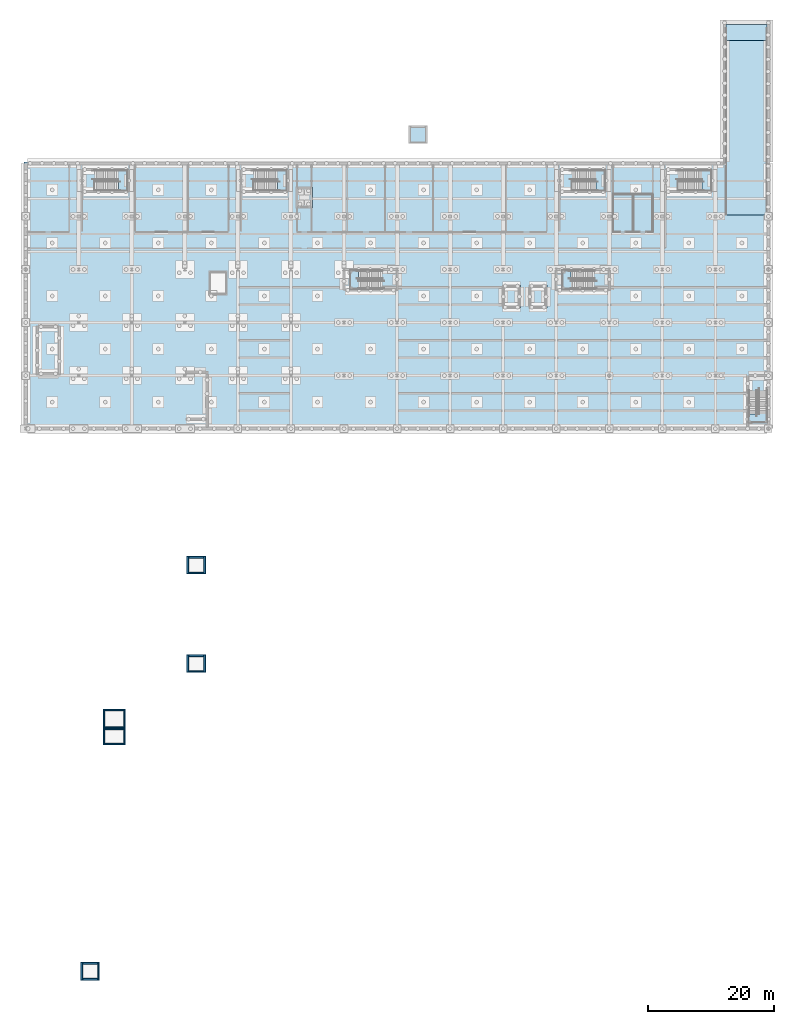
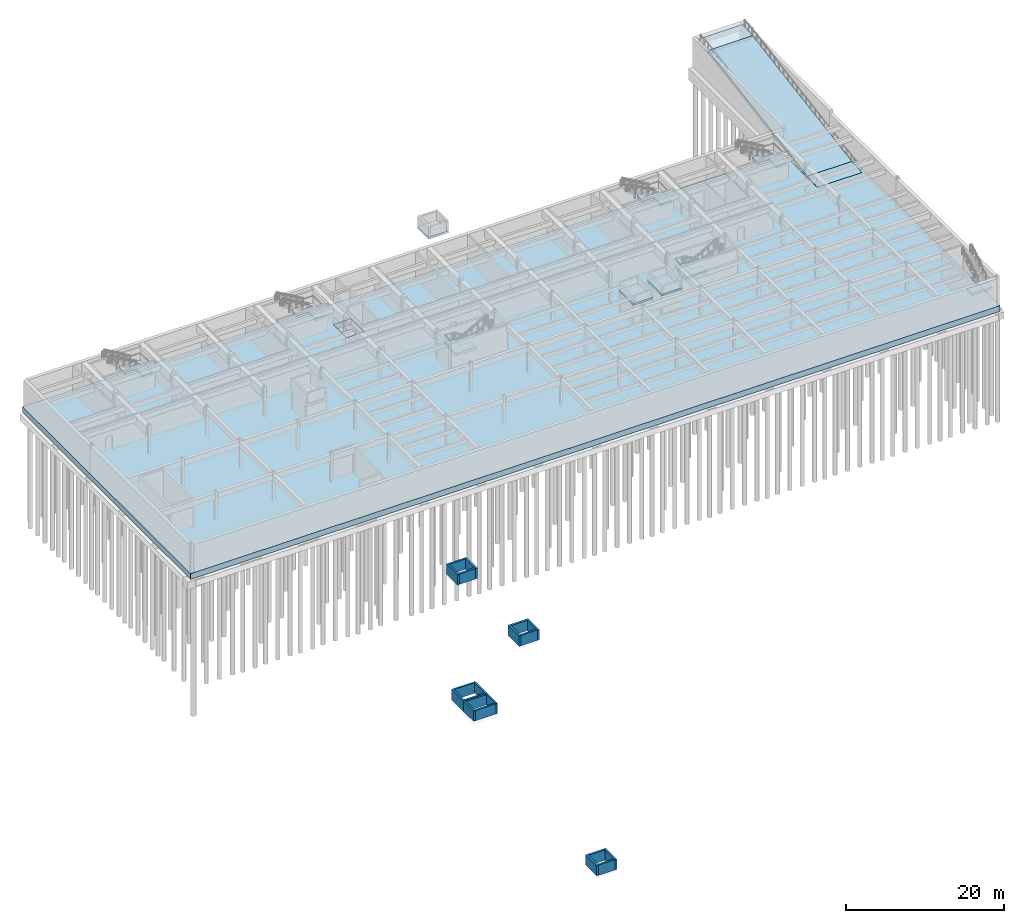
# One storey, part 19 of 33: 20 walls, 15 slabs, 7 elements without a shape of their own.
"""IFC4 building model written with IfcOpenShell, lengths in metres."""

from ifc_helpers import new_model, si_unit, direction, frame, frame_2d, origin, place, context, subcontext, project, spatial, polyline, rectangle, outline, extrude, material, layer, layer_set, type_object, element, aggregate, save


model = new_model("IFC4")

# Units and contexts
model_context = context("Model", 3, precision=1e-05, world=origin(), true_north=direction((0.0, 1.0)))
body_context = subcontext(model_context, "Body", "Model", "MODEL_VIEW")
ifc_project = project(units=[si_unit("LENGTHUNIT", "METRE"), si_unit("AREAUNIT", "SQUARE_METRE"), si_unit("VOLUMEUNIT", "CUBIC_METRE"), si_unit("PLANEANGLEUNIT", "RADIAN"), si_unit("MASSUNIT", "GRAM", prefix="KILO")], contexts=[model_context])

# Site, building, storey
site_placement = place(None, origin())
site = spatial("IfcSite", under=ifc_project, at=site_placement, CompositionType="ELEMENT")
building_placement = place(site_placement, origin())
building = spatial("IfcBuilding", under=site, at=building_placement, Name="Ljudholm Concert House", CompositionType="ELEMENT")
storey_placement = place(building_placement, frame((0.0, 0.0, -4.60009765625)))
storey = spatial("IfcBuildingStorey", under=building, at=storey_placement, Name="B1", CompositionType="ELEMENT", Elevation=-4.60009765625)

# Slabs
ifc_material_1 = material(Name="Concrete 5,000 psi", Category="concrete")
ifc_layer_1 = layer(ifc_material_1, 0.300048828125)
ifc_layer_set_1 = layer_set([ifc_layer_1], Name="Concrete 5,000 psi")
slab_type_1 = type_object("IfcSlabType", Name="RC BASE SLAB 300", PredefinedType="BASESLAB", material=ifc_layer_set_1)
slab_1_placement = place(storey_placement, frame((0.0, 0.0, 3.10009765625)))
element("IfcSlab", 1, at=slab_1_placement, inside=storey, type_object=slab_type_1, Name="Lift pit slab", PredefinedType="BASESLAB", context=body_context, shape_type="SweptSolid", body=[
    extrude(outline(polyline([(79.47509765625, 123.875), (82.324951171875, 123.875), (82.324951171875, 127.52490234375), (79.47509765625, 127.52490234375), (79.47509765625, 123.875)])), origin(), (0.0, 0.0, 1.0), 0.300048828125),
])
slab_2_placement = place(storey_placement, frame((0.0, 0.0, 3.10009765625)))
element("IfcSlab", 2, at=slab_2_placement, inside=storey, type_object=slab_type_1, Name="Lift pit slab", PredefinedType="BASESLAB", context=body_context, shape_type="SweptSolid", body=[
    extrude(outline(polyline([(83.675048828125, 123.875), (86.52490234375, 123.875), (86.52490234375, 127.52490234375), (83.675048828125, 127.52490234375), (83.675048828125, 123.875)])), origin(), (0.0, 0.0, 1.0), 0.300048828125),
])
slab_3_placement = place(storey_placement, frame((0.0, 0.0, 2.7001953125)))
element("IfcSlab", 3, at=slab_3_placement, inside=storey, type_object=slab_type_1, Name="Lift pit slab", PredefinedType="BASESLAB", context=body_context, shape_type="SweptSolid", body=[
    extrude(outline(polyline([(64.64990234375, 149.949951171875), (67.60009765625, 149.949951171875), (67.60009765625, 152.75), (64.64990234375, 152.75), (64.64990234375, 149.949951171875)])), origin(), (0.0, 0.0, 1.0), 0.2998046875),
])
slab_4_placement = place(storey_placement, frame((0.0, 0.0, -1.89990234375)))
element("IfcSlab", 4, at=slab_4_placement, inside=storey, type_object=slab_type_1, Name="Lift pit slab", PredefinedType="BASESLAB", context=body_context, shape_type="SweptSolid", body=[
    extrude(outline(polyline([(46.800048828125, 139.72509765625), (49.39990234375, 139.72509765625), (49.39990234375, 143.074951171875), (46.800048828125, 143.074951171875), (46.800048828125, 139.72509765625)])), origin(), (0.0, 0.0, 1.0), 0.300048828125),
])
ifc_material_2 = material(Name="Concrete 5,000 psi", Category="concrete")
ifc_layer_2 = layer(ifc_material_2, 0.89990234375)
ifc_layer_set_2 = layer_set([ifc_layer_2], Name="Concrete 5,000 psi")
slab_type_2 = type_object("IfcSlabType", Name="RC BASE SLAB 900", PredefinedType="BASESLAB", material=ifc_layer_set_2)
slab_5_placement = place(storey_placement, frame((0.0, 0.0, -0.89990234375)))
element("IfcSlab", 5, at=slab_5_placement, inside=storey, type_object=slab_type_2, Name="Basement base slab", PredefinedType="BASESLAB", context=body_context, shape_type="SweptSolid", body=[
    extrude(outline(polyline([(121.85009765625, 147.050048828125), (121.85009765625, 104.550048828125), (3.75, 104.550048828125), (3.75, 147.050048828125), (114.85009765625, 147.050048828125), (114.85009765625, 138.64990234375), (121.35009765625, 138.64990234375), (121.35009765625, 147.050048828125), (121.85009765625, 147.050048828125)]), holes=[polyline([(49.39990234375, 139.72509765625), (49.39990234375, 143.074951171875), (46.800048828125, 143.074951171875), (46.800048828125, 139.72509765625), (49.39990234375, 139.72509765625)])]), origin(), (0.0, 0.0, 1.0), 0.89990234375),
])

# Stair, slab
ifc_material_3 = material(Name="Concrete 5,000 psi", Category="concrete")
stair_type_1 = type_object("IfcStairType", Name="RC STAIR 1500x164x290", PredefinedType="HALF_TURN_STAIR", material=ifc_material_3)
stair_1_placement = place(storey_placement, origin())
stair_1 = element("IfcStair", 6, at=stair_1_placement, inside=storey, type_object=stair_type_1, Name="Basement exit stair", PredefinedType="HALF_TURN_STAIR")
ifc_material_4 = material(Name="Concrete 5,000 psi", Category="concrete")
ifc_layer_3 = layer(ifc_material_4, 0.409912109375)
ifc_layer_set_3 = layer_set([ifc_layer_3], Name="Concrete 5,000 psi")
slab_type_3 = type_object("IfcSlabType", Name="RC LANDING 410", PredefinedType="LANDING", material=ifc_layer_set_3)
slab_6_placement = place(storey_placement, frame((0.0, 0.0, 1.89013671875)))
slab_6 = element("IfcSlab", 7, at=slab_6_placement, type_object=slab_type_3, Name="Stair landing", PredefinedType="LANDING", context=body_context, shape_type="SweptSolid", body=[
    extrude(outline(polyline([(17.011962890625, 145.699951171875), (17.011962890625, 144.199951171875), (18.66943359375, 144.199951171875), (18.66943359375, 142.449951171875), (20.169921875, 142.449951171875), (20.169921875, 145.699951171875), (17.011962890625, 145.699951171875)])), origin(), (0.0, 0.0, 1.0), 0.409912109375),
])
aggregate(stair_1, [slab_6])

stair_2_placement = place(storey_placement, origin())
stair_2 = element("IfcStair", 8, at=stair_2_placement, inside=storey, type_object=stair_type_1, Name="Basement exit stair", PredefinedType="HALF_TURN_STAIR")
slab_7_placement = place(storey_placement, frame((0.0, 0.0, 1.89013671875)))
slab_7 = element("IfcSlab", 9, at=slab_7_placement, type_object=slab_type_3, Name="Stair landing", PredefinedType="LANDING", context=body_context, shape_type="SweptSolid", body=[
    extrude(outline(polyline([(42.2119140625, 145.699951171875), (42.2119140625, 144.199951171875), (43.869384765625, 144.199951171875), (43.869384765625, 142.449951171875), (45.3701171875, 142.449951171875), (45.3701171875, 145.699951171875), (42.2119140625, 145.699951171875)])), origin(), (0.0, 0.0, 1.0), 0.409912109375),
])
aggregate(stair_2, [slab_7])

stair_3_placement = place(storey_placement, origin())
stair_3 = element("IfcStair", 10, at=stair_3_placement, inside=storey, type_object=stair_type_1, Name="Basement exit stair", PredefinedType="HALF_TURN_STAIR")
slab_8_placement = place(storey_placement, frame((0.0, 0.0, 1.89013671875)))
slab_8 = element("IfcSlab", 11, at=slab_8_placement, type_object=slab_type_3, Name="Stair landing", PredefinedType="LANDING", context=body_context, shape_type="SweptSolid", body=[
    extrude(outline(polyline([(92.612060546875, 145.699951171875), (92.612060546875, 144.199951171875), (94.26953125, 144.199951171875), (94.26953125, 142.449951171875), (95.77001953125, 142.449951171875), (95.77001953125, 145.699951171875), (92.612060546875, 145.699951171875)])), origin(), (0.0, 0.0, 1.0), 0.409912109375),
])
aggregate(stair_3, [slab_8])

stair_4_placement = place(storey_placement, origin())
stair_4 = element("IfcStair", 12, at=stair_4_placement, inside=storey, type_object=stair_type_1, Name="Basement exit stair", PredefinedType="HALF_TURN_STAIR")
slab_9_placement = place(storey_placement, frame((0.0, 0.0, 1.89013671875)))
slab_9 = element("IfcSlab", 13, at=slab_9_placement, type_object=slab_type_3, Name="Stair landing", PredefinedType="LANDING", context=body_context, shape_type="SweptSolid", body=[
    extrude(outline(polyline([(109.412109375, 145.699951171875), (109.412109375, 144.199951171875), (111.069580078125, 144.199951171875), (111.069580078125, 142.449951171875), (112.570068359375, 142.449951171875), (112.570068359375, 145.699951171875), (109.412109375, 145.699951171875)])), origin(), (0.0, 0.0, 1.0), 0.409912109375),
])
aggregate(stair_4, [slab_9])

ifc_material_5 = material(Name="Concrete 5,000 psi", Category="concrete")
stair_type_2 = type_object("IfcStairType", Name="RC STAIR 1350x164x290", PredefinedType="HALF_TURN_STAIR", material=ifc_material_5)
stair_5_placement = place(storey_placement, origin())
stair_5 = element("IfcStair", 14, at=stair_5_placement, inside=storey, type_object=stair_type_2, Name="Basement stair", PredefinedType="HALF_TURN_STAIR")
slab_10_placement = place(storey_placement, frame((0.0, 0.0, 1.89013671875)))
slab_10 = element("IfcSlab", 15, at=slab_10_placement, type_object=slab_type_3, Name="Stair landing", PredefinedType="LANDING", context=body_context, shape_type="SweptSolid", body=[
    extrude(outline(polyline([(58.363037109375, 126.89990234375), (58.363037109375, 128.25), (56.70556640625, 128.25), (56.70556640625, 129.85009765625), (55.35498046875, 129.85009765625), (55.35498046875, 126.89990234375), (58.363037109375, 126.89990234375)])), origin(), (0.0, 0.0, 1.0), 0.409912109375),
])
aggregate(stair_5, [slab_10])

stair_6_placement = place(storey_placement, origin())
stair_6 = element("IfcStair", 16, at=stair_6_placement, inside=storey, type_object=stair_type_2, Name="Basement stair", PredefinedType="HALF_TURN_STAIR")
slab_11_placement = place(storey_placement, frame((0.0, 0.0, 1.89013671875)))
slab_11 = element("IfcSlab", 17, at=slab_11_placement, type_object=slab_type_3, Name="Stair landing", PredefinedType="LANDING", context=body_context, shape_type="SweptSolid", body=[
    extrude(outline(polyline([(91.962890625, 126.89990234375), (91.962890625, 128.25), (90.305419921875, 128.25), (90.305419921875, 129.85009765625), (88.955078125, 129.85009765625), (88.955078125, 126.89990234375), (91.962890625, 126.89990234375)])), origin(), (0.0, 0.0, 1.0), 0.409912109375),
])
aggregate(stair_6, [slab_11])

stair_7_placement = place(storey_placement, origin())
stair_7 = element("IfcStair", 18, at=stair_7_placement, inside=storey, type_object=stair_type_2, Name="Basement stair", PredefinedType="HALF_TURN_STAIR")
slab_12_placement = place(storey_placement, frame((0.0, 0.0, 1.89013671875)))
slab_12 = element("IfcSlab", 19, at=slab_12_placement, type_object=slab_type_3, Name="Stair landing", PredefinedType="LANDING", context=body_context, shape_type="SweptSolid", body=[
    extrude(outline(polyline([(121.39990234375, 108.762939453125), (120.050048828125, 108.762939453125), (120.050048828125, 107.10546875), (118.449951171875, 107.10546875), (118.449951171875, 105.7548828125), (121.39990234375, 105.7548828125), (121.39990234375, 108.762939453125)])), origin(), (0.0, 0.0, 1.0), 0.409912109375),
])
aggregate(stair_7, [slab_12])

# Slabs
ifc_material_6 = material(Name="Concrete 5,000 psi", Category="concrete")
ifc_layer_4 = layer(ifc_material_6, 0.449951171875)
ifc_layer_set_4 = layer_set([ifc_layer_4], Name="Concrete 5,000 psi")
slab_type_4 = type_object("IfcSlabType", Name="Vehicle Ramp SLAB 6500x450", PredefinedType="FLOOR", material=ifc_layer_set_4)
slab_13_placement = place(storey_placement, frame((121.35009765625, 138.64990234375, 0.0), z_axis=(0.0, -0.083109911171, 0.996540386871), x_axis=(0.0, 0.996540386871, 0.083109911171)))
element("IfcSlab", 20, at=slab_13_placement, inside=storey, type_object=slab_type_4, Name="Vehicle ramp slab", PredefinedType="FLOOR", context=body_context, shape_type="SweptSolid", body=[
    extrude(outline(polyline([(0.0, 0.0), (2.508679059008746, 0.0), (2.508679059008746, 6.500000000000002), (0.0, 6.500000000000002), (0.0, 0.0)])), origin(), (-0.083109911171, 0.0, -0.996540386871), 0.449951171875),
])
slab_14_placement = place(storey_placement, frame((121.35009765625, 141.14990234375, 0.20849609375), z_axis=(0.0, -0.164398987305, 0.986393923832), x_axis=(0.0, 0.986393923832, 0.164398987305)))
element("IfcSlab", 21, at=slab_14_placement, inside=storey, type_object=slab_type_4, Name="Vehicle ramp slab", PredefinedType="FLOOR", context=body_context, shape_type="SweptSolid", body=[
    extrude(outline(polyline([(0.0, 0.0), (25.446322255043942, 0.0), (25.446322255043942, 6.499999999999999), (0.0, 6.499999999999999), (0.0, 0.0)])), origin(), (-0.164398987305, 0.0, -0.986393923832), 0.449951171875),
])
slab_15_placement = place(storey_placement, frame((121.35009765625, 166.25, 4.391845703125), z_axis=(0.0, -0.083013263805, 0.996548442391), x_axis=(0.0, 0.996548442391, 0.083013263805)))
element("IfcSlab", 22, at=slab_15_placement, inside=storey, type_object=slab_type_4, Name="Vehicle ramp slab", PredefinedType="FLOOR", context=body_context, shape_type="SweptSolid", body=[
    extrude(outline(polyline([(0.0, 0.0), (2.508658780300816, 0.0), (2.508658780300816, 6.5), (0.0, 6.5), (0.0, 0.0)])), origin(), (-0.083013263805, 0.0, -0.996548442391), 0.449951171875),
])

# Walls
ifc_material_7 = material(Name="Concrete 6,500 psi", Category="concrete")
ifc_layer_5 = layer(ifc_material_7, 0.25)
ifc_layer_set_5 = layer_set([ifc_layer_5], Name="Concrete 6,500 psi")
wall_type_1 = type_object("IfcWallType", Name="RC WALL 250", PredefinedType="SOLIDWALL", material=ifc_layer_set_5)
for number, where, z_axis, x_axis, name in (
    (23, (16.39990234375, 54.75, 3.0), (0.0, 0.0, 1.0), (0.0, 1.0, 0.0), "Lift pit wall"),
    (24, (19.64990234375, 54.75, 3.0), (0.0, 0.0, 1.0), (0.0, 1.0, 0.0), "Lift pit wall"),
):
    element("IfcWall", number, at=place(storey_placement, frame(where, z_axis=z_axis, x_axis=x_axis)), inside=storey, type_object=wall_type_1, Name=name, PredefinedType="SOLIDWALL", context=body_context, shape_type="SweptSolid", body=[
        extrude(rectangle(XDim=2.60009765625, YDim=0.25, at=frame_2d((1.300048828125, 0.0))), origin(), (0.0, 0.0, 1.0), 1.60009765625),
    ])
for number, where, z_axis, x_axis, name in (
    (25, (16.52490234375, 54.875, 3.0), (0.0, 0.0, 1.0), (1.0, 0.0, 0.0), "Lift pit wall"),
    (26, (16.52490234375, 57.22509765625, 3.0), (0.0, 0.0, 1.0), (1.0, 0.0, 0.0), "Lift pit wall"),
    (27, (16.39990234375, 57.35009765625, 3.0), (0.0, 0.0, 1.0), (0.0, 1.0, 0.0), "Lift pit wall"),
    (28, (19.64990234375, 57.35009765625, 3.0), (0.0, 0.0, 1.0), (0.0, 1.0, 0.0), "Lift pit wall"),
    (29, (16.52490234375, 57.47509765625, 3.0), (0.0, 0.0, 1.0), (1.0, 0.0, 0.0), "Lift pit wall"),
    (30, (16.52490234375, 60.22509765625, 3.0), (0.0, 0.0, 1.0), (1.0, 0.0, 0.0), "Lift pit wall"),
):
    element("IfcWall", number, at=place(storey_placement, frame(where, z_axis=z_axis, x_axis=x_axis)), inside=storey, type_object=wall_type_1, Name=name, PredefinedType="SOLIDWALL", context=body_context, shape_type="SweptSolid", body=[
        extrude(rectangle(XDim=3.0, YDim=0.25, at=frame_2d((1.5, 0.0))), origin(), (0.0, 0.0, 1.0), 1.60009765625),
    ])
ifc_material_8 = material(Name="Concrete 6,500 psi", Category="concrete")
ifc_layer_6 = layer(ifc_material_8, 0.300048828125)
ifc_layer_set_6 = layer_set([ifc_layer_6], Name="Concrete 6,500 psi")
wall_type_2 = type_object("IfcWallType", Name="RC WALL 300", PredefinedType="SOLIDWALL", material=ifc_layer_set_6)
for number, where, z_axis, x_axis, name in (
    (31, (29.675048828125, 66.199951171875, 3.0), (0.0, 0.0, 1.0), (0.0, 1.0, 0.0), "Lift pit wall"),
    (32, (32.324951171875, 66.199951171875, 3.0), (0.0, 0.0, 1.0), (0.0, 1.0, 0.0), "Lift pit wall"),
):
    element("IfcWall", number, at=place(storey_placement, frame(where, z_axis=z_axis, x_axis=x_axis)), inside=storey, type_object=wall_type_2, Name=name, PredefinedType="SOLIDWALL", context=body_context, shape_type="SweptSolid", body=[
        extrude(rectangle(XDim=2.800048828125, YDim=0.300048828125, at=frame_2d((1.39990234375, 0.0))), origin(), (0.0, 0.0, 1.0), 1.60009765625),
    ])
for number, where, z_axis, x_axis, name in (
    (33, (29.824951171875, 66.35009765625, 3.0), (0.0, 0.0, 1.0), (1.0, 0.0, 0.0), "Lift pit wall"),
    (34, (29.824951171875, 68.85009765625, 3.0), (0.0, 0.0, 1.0), (1.0, 0.0, 0.0), "Lift pit wall"),
):
    element("IfcWall", number, at=place(storey_placement, frame(where, z_axis=z_axis, x_axis=x_axis)), inside=storey, type_object=wall_type_2, Name=name, PredefinedType="SOLIDWALL", context=body_context, shape_type="SweptSolid", body=[
        extrude(rectangle(XDim=2.35009765625, YDim=0.300048828125, at=frame_2d((1.175048828125, 0.0))), origin(), (0.0, 0.0, 1.0), 1.60009765625),
    ])
for number, where, z_axis, x_axis, name in (
    (35, (29.675048828125, 81.800048828125, 3.0), (0.0, 0.0, 1.0), (0.0, 1.0, 0.0), "Lift pit wall"),
    (36, (32.324951171875, 81.800048828125, 3.0), (0.0, 0.0, 1.0), (0.0, 1.0, 0.0), "Lift pit wall"),
):
    element("IfcWall", number, at=place(storey_placement, frame(where, z_axis=z_axis, x_axis=x_axis)), inside=storey, type_object=wall_type_2, Name=name, PredefinedType="SOLIDWALL", context=body_context, shape_type="SweptSolid", body=[
        extrude(rectangle(XDim=2.800048828125, YDim=0.300048828125, at=frame_2d((1.39990234375, 0.0))), origin(), (0.0, 0.0, 1.0), 1.60009765625),
    ])
for number, where, z_axis, x_axis, name in (
    (37, (29.824951171875, 81.949951171875, 3.0), (0.0, 0.0, 1.0), (1.0, 0.0, 0.0), "Lift pit wall"),
    (38, (29.824951171875, 84.449951171875, 3.0), (0.0, 0.0, 1.0), (1.0, 0.0, 0.0), "Lift pit wall"),
):
    element("IfcWall", number, at=place(storey_placement, frame(where, z_axis=z_axis, x_axis=x_axis)), inside=storey, type_object=wall_type_2, Name=name, PredefinedType="SOLIDWALL", context=body_context, shape_type="SweptSolid", body=[
        extrude(rectangle(XDim=2.35009765625, YDim=0.300048828125, at=frame_2d((1.175048828125, 0.0))), origin(), (0.0, 0.0, 1.0), 1.60009765625),
    ])
for number, where, z_axis, x_axis, name in (
    (39, (12.875, 17.5, 3.0), (0.0, 0.0, 1.0), (0.0, 1.0, 0.0), "Lift pit wall"),
    (40, (15.52490234375, 17.5, 3.0), (0.0, 0.0, 1.0), (0.0, 1.0, 0.0), "Lift pit wall"),
):
    element("IfcWall", number, at=place(storey_placement, frame(where, z_axis=z_axis, x_axis=x_axis)), inside=storey, type_object=wall_type_2, Name=name, PredefinedType="SOLIDWALL", context=body_context, shape_type="SweptSolid", body=[
        extrude(rectangle(XDim=2.800048828125, YDim=0.300048828125, at=frame_2d((1.39990234375, 0.0))), origin(), (0.0, 0.0, 1.0), 1.60009765625),
    ])
for number, where, z_axis, x_axis, name in (
    (41, (13.02490234375, 17.64990234375, 3.0), (0.0, 0.0, 1.0), (1.0, 0.0, 0.0), "Lift pit wall"),
    (42, (13.02490234375, 20.14990234375, 3.0), (0.0, 0.0, 1.0), (1.0, 0.0, 0.0), "Lift pit wall"),
):
    element("IfcWall", number, at=place(storey_placement, frame(where, z_axis=z_axis, x_axis=x_axis)), inside=storey, type_object=wall_type_2, Name=name, PredefinedType="SOLIDWALL", context=body_context, shape_type="SweptSolid", body=[
        extrude(rectangle(XDim=2.35009765625, YDim=0.300048828125, at=frame_2d((1.175048828125, 0.0))), origin(), (0.0, 0.0, 1.0), 1.60009765625),
    ])

save(model, "model.ifc")
